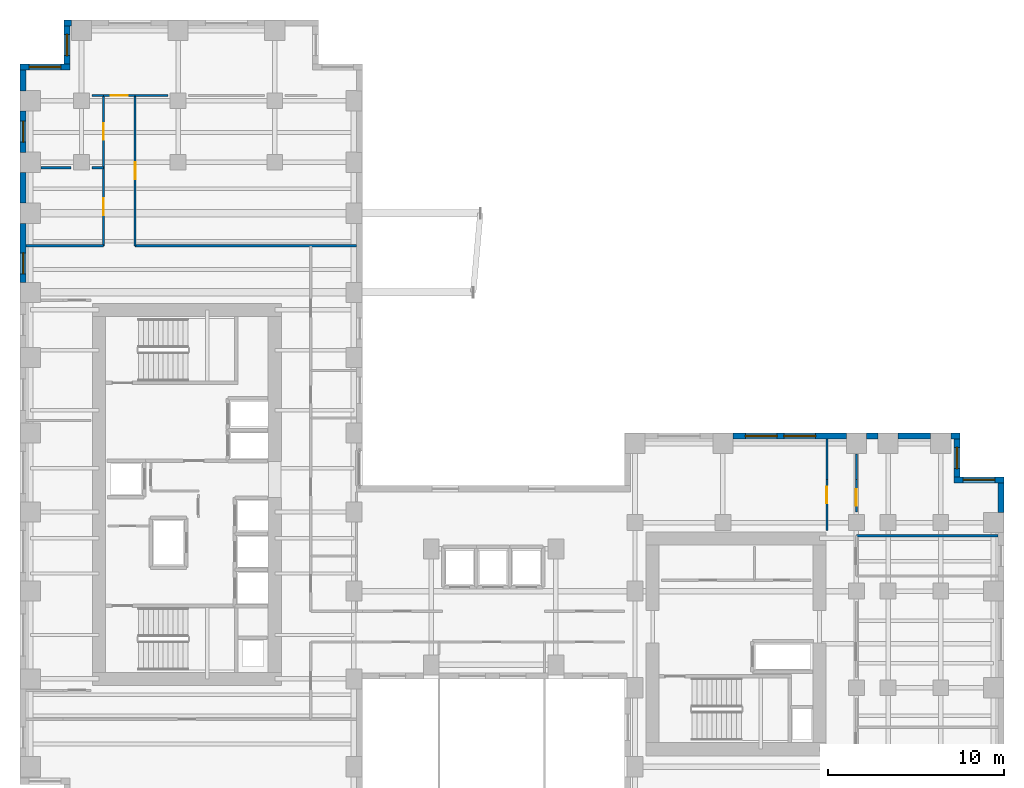
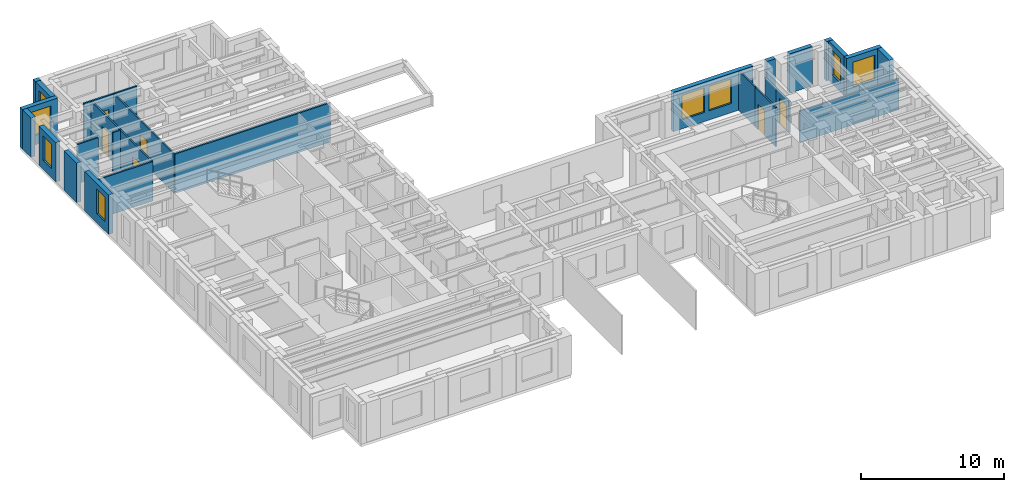
# One storey, part 10 of 13: 29 walls, 8 windows, 6 doors, 14 openings.
"""IFC4 building model written with IfcOpenShell, lengths in metres."""

from ifc_helpers import new_model, si_unit, direction, frame, frame_2d, origin, place, context, subcontext, project, spatial, rectangle, extrude, source, transform, mapped, material, layer, layer_set, type_object, element, fill, save


model = new_model("IFC4")

# Units and contexts
model_context = context("Model", 3, precision=1e-05, world=origin(), true_north=direction((0.0, 1.0)))
body_context = subcontext(model_context, "Body", "Model", "MODEL_VIEW")
ifc_project = project(units=[si_unit("LENGTHUNIT", "METRE"), si_unit("AREAUNIT", "SQUARE_METRE"), si_unit("VOLUMEUNIT", "CUBIC_METRE"), si_unit("PLANEANGLEUNIT", "RADIAN"), si_unit("MASSUNIT", "GRAM", prefix="KILO")], contexts=[model_context])

# Site, building, storey
site_placement = place(None, origin())
site = spatial("IfcSite", under=ifc_project, at=site_placement, CompositionType="ELEMENT")
building_placement = place(site_placement, origin())
building = spatial("IfcBuilding", under=site, at=building_placement, Name="Kharzan Plaza Tower", CompositionType="ELEMENT")
storey_placement = place(building_placement, frame((0.0, 0.0, 109.800048828125)))
storey = spatial("IfcBuildingStorey", under=building, at=storey_placement, Name="L29", CompositionType="ELEMENT", Elevation=109.800048828125)

# Wall, opening, window
ifc_material_1 = material(Name="Concrete C40/50", Category="concrete")
ifc_layer_1 = layer(ifc_material_1, 0.35009765625)
ifc_layer_set_1 = layer_set([ifc_layer_1], Name="Concrete C40/50")
wall_type_1 = type_object("IfcWallType", Name="WL-EXT-MAS-Z2", PredefinedType="SOLIDWALL", material=ifc_layer_set_1)
wall_1_placement = place(storey_placement, frame((2.675048828125, 45.652099609375, 0.0), z_axis=(0.0, 0.0, 1.0), x_axis=(0.0, -1.0, 0.0)))
wall_1 = element("IfcWall", 1, at=wall_1_placement, inside=storey, type_object=wall_type_1, Name="L29 Masonry-Frame Exterior Wall 14", PredefinedType="SOLIDWALL", context=body_context, shape_type="SweptSolid", body=[
    extrude(rectangle(XDim=2.154052734375, YDim=0.35009765625, at=frame_2d((1.0771484375, 0.0))), origin(), (0.0, 0.0, 1.0), 3.364990234375),
])
opening_1_placement = place(wall_1_placement, frame((0.47705078125, 0.0, 0.780029296875)))
opening_1 = element("IfcOpeningElement", 2, at=opening_1_placement, cuts=wall_1, Name="Opening W3", PredefinedType="OPENING", context=body_context, shape_type="SweptSolid", body=[
    extrude(rectangle(XDim=1.199951171875, YDim=2.10009765625, at=frame_2d((0.60009765625, 1.050048828125))), frame((0.0, 0.18505859375, 0.0), z_axis=(0.0, -1.0, 0.0), x_axis=(1.0, 0.0, 0.0)), (0.0, 0.0, 1.0), 0.3701171875),
])
ifc_material_2 = material(Name="Low-E Double Glazing", Category="glass")
window_type_1 = type_object("IfcWindowType", Name="WN-REC-1200x2100", PartitioningType="SINGLE_PANEL", PredefinedType="WINDOW", material=ifc_material_2)
shared_shape_1 = source(origin(), body_context, "Body", "SweptSolid", [
    extrude(rectangle(XDim=1.199951171875, YDim=2.10009765625, at=frame_2d((0.60009765625, 1.050048828125))), frame((0.0, 0.030029296875, 0.0), z_axis=(0.0, -1.0, 0.0), x_axis=(1.0, 0.0, 0.0)), (0.0, 0.0, 1.0), 0.06005859375),
])
window_1_placement = place(opening_1_placement, origin())
window_1 = element("IfcWindow", 3, at=window_1_placement, inside=storey, type_object=window_type_1, Name="L29 Recessed Solar-Control Window 14-1", OverallHeight=2.10009765625, OverallWidth=1.199951171875, PartitioningType="SINGLE_PANEL", PredefinedType="WINDOW", context=body_context, shape_type="MappedRepresentation", body=[
    mapped(shared_shape_1, transform((0.0, 0.0, 0.0), x_axis=(1.0, 0.0, 0.0), y_axis=(0.0, 1.0, 0.0), z_axis=(0.0, 0.0, 1.0))),
])
fill(opening_1, window_1)

wall_2_placement = place(storey_placement, frame((2.85009765625, 43.324951171875, 0.0), z_axis=(0.0, 0.0, 1.0), x_axis=(-1.0, 0.0, 0.0)))
wall_2 = element("IfcWall", 4, at=wall_2_placement, inside=storey, type_object=wall_type_1, Name="L29 Masonry-Frame Exterior Wall 15", PredefinedType="SOLIDWALL", context=body_context, shape_type="SweptSolid", body=[
    extrude(rectangle(XDim=2.85009765625, YDim=0.35009765625, at=frame_2d((1.425048828125, 0.0))), origin(), (0.0, 0.0, 1.0), 3.364990234375),
])
opening_2_placement = place(wall_2_placement, frame((0.52490234375, 0.0, 0.780029296875)))
opening_2 = element("IfcOpeningElement", 5, at=opening_2_placement, cuts=wall_2, Name="Opening W1", PredefinedType="OPENING", context=body_context, shape_type="SweptSolid", body=[
    extrude(rectangle(XDim=1.800048828125, YDim=2.10009765625, at=frame_2d((0.89990234375, 1.050048828125))), frame((0.0, 0.18505859375, 0.0), z_axis=(0.0, -1.0, 0.0), x_axis=(1.0, 0.0, 0.0)), (0.0, 0.0, 1.0), 0.3701171875),
])
window_type_2 = type_object("IfcWindowType", Name="WN-REC-1800x2100", PartitioningType="SINGLE_PANEL", PredefinedType="WINDOW", material=ifc_material_2)
shared_shape_2 = source(origin(), body_context, "Body", "SweptSolid", [
    extrude(rectangle(XDim=1.800048828125, YDim=2.10009765625, at=frame_2d((0.89990234375, 1.050048828125))), frame((0.0, 0.030029296875, 0.0), z_axis=(0.0, -1.0, 0.0), x_axis=(1.0, 0.0, 0.0)), (0.0, 0.0, 1.0), 0.06005859375),
])
window_2_placement = place(opening_2_placement, origin())
window_2 = element("IfcWindow", 6, at=window_2_placement, inside=storey, type_object=window_type_2, Name="L29 Recessed Solar-Control Window 15-1", OverallHeight=2.10009765625, OverallWidth=1.800048828125, PartitioningType="SINGLE_PANEL", PredefinedType="WINDOW", context=body_context, shape_type="MappedRepresentation", body=[
    mapped(shared_shape_2, transform((0.0, 0.0, 0.0), x_axis=(1.0, 0.0, 0.0), y_axis=(0.0, 1.0, 0.0), z_axis=(0.0, 0.0, 1.0))),
])
fill(opening_2, window_2)

wall_3_placement = place(storey_placement, frame((0.175048828125, 40.826904296875, 0.0), z_axis=(0.0, 0.0, 1.0), x_axis=(0.0, -1.0, 0.0)))
wall_3 = element("IfcWall", 7, at=wall_3_placement, inside=storey, type_object=wall_type_1, Name="L29 Masonry-Frame Exterior Wall 17", PredefinedType="SOLIDWALL", context=body_context, shape_type="SweptSolid", body=[
    extrude(rectangle(XDim=2.35400390625, YDim=0.35009765625, at=frame_2d((1.177001953125, 0.0))), origin(), (0.0, 0.0, 1.0), 3.364990234375),
])
opening_3_placement = place(wall_3_placement, frame((0.576904296875, 0.0, 0.780029296875)))
opening_3 = element("IfcOpeningElement", 8, at=opening_3_placement, cuts=wall_3, Name="Opening W3", PredefinedType="OPENING", context=body_context, shape_type="SweptSolid", body=[
    extrude(rectangle(XDim=1.199951171875, YDim=2.10009765625, at=frame_2d((0.60009765625, 1.050048828125))), frame((0.0, 0.18505859375, 0.0), z_axis=(0.0, -1.0, 0.0), x_axis=(1.0, 0.0, 0.0)), (0.0, 0.0, 1.0), 0.3701171875),
])
window_3_placement = place(opening_3_placement, origin())
window_3 = element("IfcWindow", 9, at=window_3_placement, inside=storey, type_object=window_type_1, Name="L29 Recessed Solar-Control Window 17-1", OverallHeight=2.10009765625, OverallWidth=1.199951171875, PartitioningType="SINGLE_PANEL", PredefinedType="WINDOW", context=body_context, shape_type="MappedRepresentation", body=[
    mapped(shared_shape_1, transform((0.0, 0.0, 0.0), x_axis=(1.0, 0.0, 0.0), y_axis=(0.0, 1.0, 0.0), z_axis=(0.0, 0.0, 1.0))),
])
fill(opening_3, window_3)

wall_4_placement = place(storey_placement, frame((0.175048828125, 34.427001953125, 0.0), z_axis=(0.0, 0.0, 1.0), x_axis=(0.0, -1.0, 0.0)))
wall_4 = element("IfcWall", 10, at=wall_4_placement, inside=storey, type_object=wall_type_1, Name="L29 Masonry-Frame Exterior Wall 19", PredefinedType="SOLIDWALL", context=body_context, shape_type="SweptSolid", body=[
    extrude(rectangle(XDim=3.35400390625, YDim=0.35009765625, at=frame_2d((1.677001953125, 0.0))), origin(), (0.0, 0.0, 1.0), 3.364990234375),
])
opening_4_placement = place(wall_4_placement, frame((1.680419921875, 0.0, 0.780029296875)))
opening_4 = element("IfcOpeningElement", 11, at=opening_4_placement, cuts=wall_4, Name="Opening W3", PredefinedType="OPENING", context=body_context, shape_type="SweptSolid", body=[
    extrude(rectangle(XDim=1.199951171875, YDim=2.10009765625, at=frame_2d((0.60009765625, 1.050048828125))), frame((0.0, 0.18505859375, 0.0), z_axis=(0.0, -1.0, 0.0), x_axis=(1.0, 0.0, 0.0)), (0.0, 0.0, 1.0), 0.3701171875),
])
window_4_placement = place(opening_4_placement, origin())
window_4 = element("IfcWindow", 12, at=window_4_placement, inside=storey, type_object=window_type_1, Name="L29 Recessed Solar-Control Window 19-1", OverallHeight=2.10009765625, OverallWidth=1.199951171875, PartitioningType="SINGLE_PANEL", PredefinedType="WINDOW", context=body_context, shape_type="MappedRepresentation", body=[
    mapped(shared_shape_1, transform((0.0, 0.0, 0.0), x_axis=(1.0, 0.0, 0.0), y_axis=(0.0, 1.0, 0.0), z_axis=(0.0, 0.0, 1.0))),
])
fill(opening_4, window_4)

wall_5_placement = place(storey_placement, frame((56.0, 19.824951171875, 0.0), z_axis=(0.0, 0.0, 1.0), x_axis=(-1.0, 0.0, 0.0)))
wall_5 = element("IfcWall", 13, at=wall_5_placement, inside=storey, type_object=wall_type_1, Name="L29 Masonry-Frame Exterior Wall 50", PredefinedType="SOLIDWALL", context=body_context, shape_type="SweptSolid", body=[
    extrude(rectangle(XDim=2.85009765625, YDim=0.35009765625, at=frame_2d((1.425048828125, 0.0))), origin(), (0.0, 0.0, 1.0), 3.364990234375),
])
opening_5_placement = place(wall_5_placement, frame((0.52490234375, 0.0, 0.780029296875)))
opening_5 = element("IfcOpeningElement", 14, at=opening_5_placement, cuts=wall_5, Name="Opening W1", PredefinedType="OPENING", context=body_context, shape_type="SweptSolid", body=[
    extrude(rectangle(XDim=1.800048828125, YDim=2.10009765625, at=frame_2d((0.89990234375, 1.050048828125))), frame((0.0, 0.18505859375, 0.0), z_axis=(0.0, -1.0, 0.0), x_axis=(1.0, 0.0, 0.0)), (0.0, 0.0, 1.0), 0.3701171875),
])
window_5_placement = place(opening_5_placement, origin())
window_5 = element("IfcWindow", 15, at=window_5_placement, inside=storey, type_object=window_type_2, Name="L29 Recessed Solar-Control Window 50-1", OverallHeight=2.10009765625, OverallWidth=1.800048828125, PartitioningType="SINGLE_PANEL", PredefinedType="WINDOW", context=body_context, shape_type="MappedRepresentation", body=[
    mapped(shared_shape_2, transform((0.0, 0.0, 0.0), x_axis=(1.0, 0.0, 0.0), y_axis=(0.0, 1.0, 0.0), z_axis=(0.0, 0.0, 1.0))),
])
fill(opening_5, window_5)

wall_6_placement = place(storey_placement, frame((53.324951171875, 19.998046875, 0.0), z_axis=(0.0, 0.0, 1.0), x_axis=(0.0, 1.0, 0.0)))
wall_6 = element("IfcWall", 16, at=wall_6_placement, inside=storey, type_object=wall_type_1, Name="L29 Masonry-Frame Exterior Wall 51", PredefinedType="SOLIDWALL", context=body_context, shape_type="SweptSolid", body=[
    extrude(rectangle(XDim=2.154052734375, YDim=0.35009765625, at=frame_2d((1.0771484375, 0.0))), origin(), (0.0, 0.0, 1.0), 3.364990234375),
])
opening_6_placement = place(wall_6_placement, frame((0.47705078125, 0.0, 0.780029296875)))
opening_6 = element("IfcOpeningElement", 17, at=opening_6_placement, cuts=wall_6, Name="Opening W3", PredefinedType="OPENING", context=body_context, shape_type="SweptSolid", body=[
    extrude(rectangle(XDim=1.199951171875, YDim=2.10009765625, at=frame_2d((0.60009765625, 1.050048828125))), frame((0.0, 0.18505859375, 0.0), z_axis=(0.0, -1.0, 0.0), x_axis=(1.0, 0.0, 0.0)), (0.0, 0.0, 1.0), 0.3701171875),
])
window_6_placement = place(opening_6_placement, origin())
window_6 = element("IfcWindow", 18, at=window_6_placement, inside=storey, type_object=window_type_1, Name="L29 Recessed Solar-Control Window 51-1", OverallHeight=2.10009765625, OverallWidth=1.199951171875, PartitioningType="SINGLE_PANEL", PredefinedType="WINDOW", context=body_context, shape_type="MappedRepresentation", body=[
    mapped(shared_shape_1, transform((0.0, 0.0, 0.0), x_axis=(1.0, 0.0, 0.0), y_axis=(0.0, 1.0, 0.0), z_axis=(0.0, 0.0, 1.0))),
])
fill(opening_6, window_6)

# Wall, openings, windows
wall_7_placement = place(storey_placement, frame((47.027099609375, 22.324951171875, 0.0), z_axis=(0.0, 0.0, 1.0), x_axis=(-1.0, 0.0, 0.0)))
wall_7 = element("IfcWall", 19, at=wall_7_placement, inside=storey, type_object=wall_type_1, Name="L29 Masonry-Frame Exterior Wall 55", PredefinedType="SOLIDWALL", context=body_context, shape_type="SweptSolid", body=[
    extrude(rectangle(XDim=6.4541015625, YDim=0.35009765625, at=frame_2d((3.22705078125, 0.0))), origin(), (0.0, 0.0, 1.0), 3.364990234375),
])
opening_7_placement = place(wall_7_placement, frame((1.749267578125, 0.0, 0.780029296875)))
opening_7 = element("IfcOpeningElement", 20, at=opening_7_placement, cuts=wall_7, Name="Opening W1", PredefinedType="OPENING", context=body_context, shape_type="SweptSolid", body=[
    extrude(rectangle(XDim=1.800048828125, YDim=2.10009765625, at=frame_2d((0.89990234375, 1.050048828125))), frame((0.0, 0.18505859375, 0.0), z_axis=(0.0, -1.0, 0.0), x_axis=(1.0, 0.0, 0.0)), (0.0, 0.0, 1.0), 0.3701171875),
])
opening_8_placement = place(wall_7_placement, frame((3.941650390625, 0.0, 0.780029296875)))
opening_8 = element("IfcOpeningElement", 21, at=opening_8_placement, cuts=wall_7, Name="Opening W1", PredefinedType="OPENING", context=body_context, shape_type="SweptSolid", body=[
    extrude(rectangle(XDim=1.800048828125, YDim=2.10009765625, at=frame_2d((0.89990234375, 1.050048828125))), frame((0.0, 0.18505859375, 0.0), z_axis=(0.0, -1.0, 0.0), x_axis=(1.0, 0.0, 0.0)), (0.0, 0.0, 1.0), 0.3701171875),
])
window_7_placement = place(opening_7_placement, origin())
window_7 = element("IfcWindow", 22, at=window_7_placement, inside=storey, type_object=window_type_2, Name="L29 Recessed Solar-Control Window 55-1", OverallHeight=2.10009765625, OverallWidth=1.800048828125, PartitioningType="SINGLE_PANEL", PredefinedType="WINDOW", context=body_context, shape_type="MappedRepresentation", body=[
    mapped(shared_shape_2, transform((0.0, 0.0, 0.0), x_axis=(1.0, 0.0, 0.0), y_axis=(0.0, 1.0, 0.0), z_axis=(0.0, 0.0, 1.0))),
])
fill(opening_7, window_7)
window_8_placement = place(opening_8_placement, origin())
window_8 = element("IfcWindow", 23, at=window_8_placement, inside=storey, type_object=window_type_2, Name="L29 Recessed Solar-Control Window 55-2", OverallHeight=2.10009765625, OverallWidth=1.800048828125, PartitioningType="SINGLE_PANEL", PredefinedType="WINDOW", context=body_context, shape_type="MappedRepresentation", body=[
    mapped(shared_shape_2, transform((0.0, 0.0, 0.0), x_axis=(1.0, 0.0, 0.0), y_axis=(0.0, 1.0, 0.0), z_axis=(0.0, 0.0, 1.0))),
])
fill(opening_8, window_8)

# Wall, opening, door
ifc_material_3 = material(Name="Fire-Rated Gypsum Board Partition", Category="gypsum")
ifc_layer_2 = layer(ifc_material_3, 0.125)
ifc_layer_set_2 = layer_set([ifc_layer_2], Name="Fire-Rated Gypsum Board Partition")
wall_type_2 = type_object("IfcWallType", Name="WL-INT-PART-125", PredefinedType="PARTITIONING", material=ifc_layer_set_2)
wall_8_placement = place(storey_placement, frame((47.60009765625, 17.989990234375, 0.0), z_axis=(0.0, 0.0, 1.0), x_axis=(0.0, 1.0, 0.0)))
wall_8 = element("IfcWall", 24, at=wall_8_placement, inside=storey, type_object=wall_type_2, Name="L29 Interior Partition SH-B3W2", PredefinedType="PARTITIONING", context=body_context, shape_type="SweptSolid", body=[
    extrude(rectangle(XDim=1.860107421875, YDim=0.125, at=frame_2d((0.93017578125, 0.0))), origin(), (0.0, 0.0, 1.0), 2.677001953125),
])
opening_9_placement = place(wall_8_placement, frame((0.36328125, 0.0, 0.0)))
opening_9 = element("IfcOpeningElement", 25, at=opening_9_placement, cuts=wall_8, Name="Opening OD1", PredefinedType="OPENING", context=body_context, shape_type="SweptSolid", body=[
    extrude(rectangle(XDim=0.949951171875, YDim=2.14990234375, at=frame_2d((0.47509765625, 1.074951171875))), frame((0.0, 0.072509765625, 0.0), z_axis=(0.0, -1.0, 0.0), x_axis=(1.0, 0.0, 0.0)), (0.0, 0.0, 1.0), 0.14501953125),
])
ifc_material_4 = material(Name="Acoustic Solid-Core Stained Oak", Category="timber")
door_type = type_object("IfcDoorType", Name="DR-OFF-SINGLE", OperationType="NOTDEFINED", PredefinedType="DOOR", material=ifc_material_4)
shared_shape_3 = source(origin(), body_context, "Body", "SweptSolid", [
    extrude(rectangle(XDim=0.949951171875, YDim=2.14990234375, at=frame_2d((0.47509765625, 1.074951171875))), frame((0.0, 0.02490234375, 0.0), z_axis=(0.0, -1.0, 0.0), x_axis=(1.0, 0.0, 0.0)), (0.0, 0.0, 1.0), 0.050048828125),
])
door_1_placement = place(opening_9_placement, origin())
door_1 = element("IfcDoor", 26, at=door_1_placement, inside=storey, type_object=door_type, Name="L29 Wing B Office 3 Door", OperationType="SINGLE_SWING_RIGHT", OverallHeight=2.14990234375, OverallWidth=0.949951171875, PredefinedType="DOOR", context=body_context, shape_type="MappedRepresentation", body=[
    mapped(shared_shape_3, transform((0.0, 0.0, 0.0), x_axis=(1.0, 0.0, 0.0), y_axis=(0.0, 1.0, 0.0), z_axis=(0.0, 0.0, 1.0))),
])
fill(opening_9, door_1)

wall_9_placement = place(storey_placement, frame((45.919921875, 16.949951171875, 0.0), z_axis=(0.0, 0.0, 1.0), x_axis=(0.0, 1.0, 0.0)))
wall_9 = element("IfcWall", 27, at=wall_9_placement, inside=storey, type_object=wall_type_2, Name="L29 Interior Partition SH-RBNE", PredefinedType="PARTITIONING", context=body_context, shape_type="SweptSolid", body=[
    extrude(rectangle(XDim=2.900146484375, YDim=0.125, at=frame_2d((1.4501953125, 0.0))), origin(), (0.0, 0.0, 1.0), 3.364990234375),
])
opening_10_placement = place(wall_9_placement, frame((1.54296875, 0.0, 0.0)))
opening_10 = element("IfcOpeningElement", 28, at=opening_10_placement, cuts=wall_9, Name="Opening OD1", PredefinedType="OPENING", context=body_context, shape_type="SweptSolid", body=[
    extrude(rectangle(XDim=0.949951171875, YDim=2.14990234375, at=frame_2d((0.47509765625, 1.074951171875))), frame((0.0, 0.072509765625, 0.0), z_axis=(0.0, -1.0, 0.0), x_axis=(1.0, 0.0, 0.0)), (0.0, 0.0, 1.0), 0.14501953125),
])
door_2_placement = place(opening_10_placement, origin())
door_2 = element("IfcDoor", 29, at=door_2_placement, inside=storey, type_object=door_type, Name="L29 Wing B North Studio Door", OperationType="SINGLE_SWING_RIGHT", OverallHeight=2.14990234375, OverallWidth=0.949951171875, PredefinedType="DOOR", context=body_context, shape_type="MappedRepresentation", body=[
    mapped(shared_shape_3, transform((0.0, 0.0, 0.0), x_axis=(1.0, 0.0, 0.0), y_axis=(0.0, 1.0, 0.0), z_axis=(0.0, 0.0, 1.0))),
])
fill(opening_10, door_2)

wall_10_placement = place(storey_placement, frame((6.550048828125, 33.14990234375, 0.0), z_axis=(0.0, 0.0, 1.0), x_axis=(0.0, 1.0, 0.0)))
wall_10 = element("IfcWall", 30, at=wall_10_placement, inside=storey, type_object=wall_type_2, Name="L29 Interior Partition SH-SPE-1", PredefinedType="PARTITIONING", context=body_context, shape_type="SweptSolid", body=[
    extrude(rectangle(XDim=8.550048828125, YDim=0.125, at=frame_2d((4.27490234375, 0.0))), origin(), (0.0, 0.0, 1.0), 3.364990234375),
])
opening_11_placement = place(wall_10_placement, frame((3.800048828125, 0.0, 0.0)))
opening_11 = element("IfcOpeningElement", 31, at=opening_11_placement, cuts=wall_10, Name="Opening OD1", PredefinedType="OPENING", context=body_context, shape_type="SweptSolid", body=[
    extrude(rectangle(XDim=0.949951171875, YDim=2.14990234375, at=frame_2d((0.47509765625, 1.074951171875))), frame((0.0, 0.072509765625, 0.0), z_axis=(0.0, -1.0, 0.0), x_axis=(1.0, 0.0, 0.0)), (0.0, 0.0, 1.0), 0.14501953125),
])
door_3_placement = place(opening_11_placement, origin())
door_3 = element("IfcDoor", 32, at=door_3_placement, inside=storey, type_object=door_type, Name="L29 Cartography Drafting Studio Door", OperationType="SINGLE_SWING_LEFT", OverallHeight=2.14990234375, OverallWidth=0.949951171875, PredefinedType="DOOR", context=body_context, shape_type="MappedRepresentation", body=[
    mapped(shared_shape_3, transform((0.0, 0.0, 0.0), x_axis=(1.0, 0.0, 0.0), y_axis=(0.0, 1.0, 0.0), z_axis=(0.0, 0.0, 1.0))),
])
fill(opening_11, door_3)

wall_11_placement = place(storey_placement, frame((4.75, 41.699951171875, 0.0), z_axis=(0.0, 0.0, 1.0), x_axis=(1.0, 0.0, 0.0)))
wall_11 = element("IfcWall", 33, at=wall_11_placement, inside=storey, type_object=wall_type_2, Name="L29 Interior Partition SH-SPHD", PredefinedType="PARTITIONING", context=body_context, shape_type="SweptSolid", body=[
    extrude(rectangle(XDim=1.800048828125, YDim=0.125, at=frame_2d((0.89990234375, 0.0))), origin(), (0.0, 0.0, 1.0), 3.364990234375),
])
opening_12_placement = place(wall_11_placement, frame((0.425048828125, 0.0, 0.0)))
opening_12 = element("IfcOpeningElement", 34, at=opening_12_placement, cuts=wall_11, Name="Opening OD1", PredefinedType="OPENING", context=body_context, shape_type="SweptSolid", body=[
    extrude(rectangle(XDim=0.949951171875, YDim=2.14990234375, at=frame_2d((0.47509765625, 1.074951171875))), frame((0.0, 0.072509765625, 0.0), z_axis=(0.0, -1.0, 0.0), x_axis=(1.0, 0.0, 0.0)), (0.0, 0.0, 1.0), 0.14501953125),
])
door_4_placement = place(opening_12_placement, origin())
door_4 = element("IfcDoor", 35, at=door_4_placement, inside=storey, type_object=door_type, Name="L29 North Boardroom Door", OperationType="SINGLE_SWING_RIGHT", OverallHeight=2.14990234375, OverallWidth=0.949951171875, PredefinedType="DOOR", context=body_context, shape_type="MappedRepresentation", body=[
    mapped(shared_shape_3, transform((0.0, 0.0, 0.0), x_axis=(1.0, 0.0, 0.0), y_axis=(0.0, 1.0, 0.0), z_axis=(0.0, 0.0, 1.0))),
])
fill(opening_12, door_4)

wall_12_placement = place(storey_placement, frame((4.75, 33.14990234375, 0.0), z_axis=(0.0, 0.0, 1.0), x_axis=(0.0, 1.0, 0.0)))
wall_12 = element("IfcWall", 36, at=wall_12_placement, inside=storey, type_object=wall_type_2, Name="L29 Interior Partition SH-SPW-1", PredefinedType="PARTITIONING", context=body_context, shape_type="SweptSolid", body=[
    extrude(rectangle(XDim=4.446044921875, YDim=0.125, at=frame_2d((2.22314453125, 0.0))), origin(), (0.0, 0.0, 1.0), 3.364990234375),
])
opening_13_placement = place(wall_12_placement, frame((1.748046875, 0.0, 0.0)))
opening_13 = element("IfcOpeningElement", 37, at=opening_13_placement, cuts=wall_12, Name="Opening OD1", PredefinedType="OPENING", context=body_context, shape_type="SweptSolid", body=[
    extrude(rectangle(XDim=0.949951171875, YDim=2.14990234375, at=frame_2d((0.47509765625, 1.074951171875))), frame((0.0, 0.072509765625, 0.0), z_axis=(0.0, -1.0, 0.0), x_axis=(1.0, 0.0, 0.0)), (0.0, 0.0, 1.0), 0.14501953125),
])
door_5_placement = place(opening_13_placement, origin())
door_5 = element("IfcDoor", 38, at=door_5_placement, inside=storey, type_object=door_type, Name="L29 Architectural Design Studio Door", OperationType="SINGLE_SWING_LEFT", OverallHeight=2.14990234375, OverallWidth=0.949951171875, PredefinedType="DOOR", context=body_context, shape_type="MappedRepresentation", body=[
    mapped(shared_shape_3, transform((0.0, 0.0, 0.0), x_axis=(1.0, 0.0, 0.0), y_axis=(0.0, 1.0, 0.0), z_axis=(0.0, 0.0, 1.0))),
])
fill(opening_13, door_5)

wall_13_placement = place(storey_placement, frame((4.75, 37.595947265625, 0.0), z_axis=(0.0, 0.0, 1.0), x_axis=(0.0, 1.0, 0.0)))
wall_13 = element("IfcWall", 39, at=wall_13_placement, inside=storey, type_object=wall_type_2, Name="L29 Interior Partition SH-SPW-2", PredefinedType="PARTITIONING", context=body_context, shape_type="SweptSolid", body=[
    extrude(rectangle(XDim=4.10400390625, YDim=0.125, at=frame_2d((2.052001953125, 0.0))), origin(), (0.0, 0.0, 1.0), 3.364990234375),
])
opening_14_placement = place(wall_13_placement, frame((1.576904296875, 0.0, 0.0)))
opening_14 = element("IfcOpeningElement", 40, at=opening_14_placement, cuts=wall_13, Name="Opening OD1", PredefinedType="OPENING", context=body_context, shape_type="SweptSolid", body=[
    extrude(rectangle(XDim=0.949951171875, YDim=2.14990234375, at=frame_2d((0.47509765625, 1.074951171875))), frame((0.0, 0.072509765625, 0.0), z_axis=(0.0, -1.0, 0.0), x_axis=(1.0, 0.0, 0.0)), (0.0, 0.0, 1.0), 0.14501953125),
])
door_6_placement = place(opening_14_placement, origin())
door_6 = element("IfcDoor", 41, at=door_6_placement, inside=storey, type_object=door_type, Name="L29 Architectural Design Studio Door", OperationType="SINGLE_SWING_RIGHT", OverallHeight=2.14990234375, OverallWidth=0.949951171875, PredefinedType="DOOR", context=body_context, shape_type="MappedRepresentation", body=[
    mapped(shared_shape_3, transform((0.0, 0.0, 0.0), x_axis=(1.0, 0.0, 0.0), y_axis=(0.0, 1.0, 0.0), z_axis=(0.0, 0.0, 1.0))),
])
fill(opening_14, door_6)

# Walls
shared_shape_4 = source(origin(), body_context, "Body", "SweptSolid", [
    extrude(rectangle(XDim=2.2978515625, YDim=0.125, at=frame_2d((1.14892578125, 0.0))), origin(), (0.0, 0.0, 1.0), 3.364990234375),
])
wall_14_placement = place(storey_placement, frame((45.919921875, 19.85009765625, 0.0), z_axis=(0.0, 0.0, 1.0), x_axis=(0.0, 1.0, 0.0)))
element("IfcWall", 42, at=wall_14_placement, inside=storey, type_object=wall_type_2, Name="L29 Interior Partition SH-RBNE0", PredefinedType="PARTITIONING", context=body_context, shape_type="MappedRepresentation", body=[
    mapped(shared_shape_4, transform((0.0, 0.0, 0.0), x_axis=(1.0, 0.0, 0.0), y_axis=(0.0, 1.0, 0.0), z_axis=(0.0, 0.0, 1.0))),
])
shared_shape_5 = source(origin(), body_context, "Body", "SweptSolid", [
    extrude(rectangle(XDim=0.427001953125, YDim=0.35009765625, at=frame_2d((0.21337890625, 0.0))), origin(), (0.0, 0.0, 1.0), 3.364990234375),
])
wall_15_placement = place(storey_placement, frame((2.927001953125, 45.824951171875, 0.0), z_axis=(0.0, 0.0, 1.0), x_axis=(-1.0, 0.0, 0.0)))
element("IfcWall", 43, at=wall_15_placement, inside=storey, type_object=wall_type_1, Name="L29 Masonry-Frame Exterior Wall 13", PredefinedType="SOLIDWALL", context=body_context, shape_type="MappedRepresentation", body=[
    mapped(shared_shape_5, transform((0.0, 0.0, 0.0), x_axis=(1.0, 0.0, 0.0), y_axis=(0.0, 1.0, 0.0), z_axis=(0.0, 0.0, 1.0))),
])
shared_shape_6 = source(origin(), body_context, "Body", "SweptSolid", [
    extrude(rectangle(XDim=1.17919921875, YDim=0.35009765625, at=frame_2d((0.589599609375, 0.0))), origin(), (0.0, 0.0, 1.0), 3.364990234375),
])
wall_16_placement = place(storey_placement, frame((0.175048828125, 43.152099609375, 0.0), z_axis=(0.0, 0.0, 1.0), x_axis=(0.0, -1.0, 0.0)))
element("IfcWall", 44, at=wall_16_placement, inside=storey, type_object=wall_type_1, Name="L29 Masonry-Frame Exterior Wall 16", PredefinedType="SOLIDWALL", context=body_context, shape_type="MappedRepresentation", body=[
    mapped(shared_shape_6, transform((0.0, 0.0, 0.0), x_axis=(1.0, 0.0, 0.0), y_axis=(0.0, 1.0, 0.0), z_axis=(0.0, 0.0, 1.0))),
])
shared_shape_7 = source(origin(), body_context, "Body", "SweptSolid", [
    extrude(rectangle(XDim=1.75390625, YDim=0.35009765625, at=frame_2d((0.876953125, 0.0))), origin(), (0.0, 0.0, 1.0), 3.364990234375),
])
wall_17_placement = place(storey_placement, frame((0.175048828125, 37.326904296875, 0.0), z_axis=(0.0, 0.0, 1.0), x_axis=(0.0, -1.0, 0.0)))
element("IfcWall", 45, at=wall_17_placement, inside=storey, type_object=wall_type_1, Name="L29 Masonry-Frame Exterior Wall 18", PredefinedType="SOLIDWALL", context=body_context, shape_type="MappedRepresentation", body=[
    mapped(shared_shape_7, transform((0.0, 0.0, 0.0), x_axis=(1.0, 0.0, 0.0), y_axis=(0.0, 1.0, 0.0), z_axis=(0.0, 0.0, 1.0))),
])
shared_shape_8 = source(origin(), body_context, "Body", "SweptSolid", [
    extrude(rectangle(XDim=0.65380859375, YDim=0.35009765625, at=frame_2d((0.326904296875, 0.0))), origin(), (0.0, 0.0, 1.0), 3.364990234375),
])
wall_18_placement = place(storey_placement, frame((48.826904296875, 22.324951171875, 0.0), z_axis=(0.0, 0.0, 1.0), x_axis=(-1.0, 0.0, 0.0)))
element("IfcWall", 46, at=wall_18_placement, inside=storey, type_object=wall_type_1, Name="L29 Masonry-Frame Exterior Wall 54", PredefinedType="SOLIDWALL", context=body_context, shape_type="MappedRepresentation", body=[
    mapped(shared_shape_8, transform((0.0, 0.0, 0.0), x_axis=(1.0, 0.0, 0.0), y_axis=(0.0, 1.0, 0.0), z_axis=(0.0, 0.0, 1.0))),
])
shared_shape_9 = source(origin(), body_context, "Body", "SweptSolid", [
    extrude(rectangle(XDim=1.85400390625, YDim=0.35009765625, at=frame_2d((0.927001953125, 0.0))), origin(), (0.0, 0.0, 1.0), 3.364990234375),
])
wall_19_placement = place(storey_placement, frame((51.826904296875, 22.324951171875, 0.0), z_axis=(0.0, 0.0, 1.0), x_axis=(-1.0, 0.0, 0.0)))
element("IfcWall", 47, at=wall_19_placement, inside=storey, type_object=wall_type_1, Name="L29 Masonry-Frame Exterior Wall 53", PredefinedType="SOLIDWALL", context=body_context, shape_type="MappedRepresentation", body=[
    mapped(shared_shape_9, transform((0.0, 0.0, 0.0), x_axis=(1.0, 0.0, 0.0), y_axis=(0.0, 1.0, 0.0), z_axis=(0.0, 0.0, 1.0))),
])
shared_shape_10 = source(origin(), body_context, "Body", "SweptSolid", [
    extrude(rectangle(XDim=0.527099609375, YDim=0.35009765625, at=frame_2d((0.263671875, 0.0))), origin(), (0.0, 0.0, 1.0), 3.364990234375),
])
wall_20_placement = place(storey_placement, frame((53.5, 22.324951171875, 0.0), z_axis=(0.0, 0.0, 1.0), x_axis=(-1.0, 0.0, 0.0)))
element("IfcWall", 48, at=wall_20_placement, inside=storey, type_object=wall_type_1, Name="L29 Masonry-Frame Exterior Wall 52", PredefinedType="SOLIDWALL", context=body_context, shape_type="MappedRepresentation", body=[
    mapped(shared_shape_10, transform((0.0, 0.0, 0.0), x_axis=(1.0, 0.0, 0.0), y_axis=(0.0, 1.0, 0.0), z_axis=(0.0, 0.0, 1.0))),
])
shared_shape_11 = source(origin(), body_context, "Body", "SweptSolid", [
    extrude(rectangle(XDim=1.67919921875, YDim=0.35009765625, at=frame_2d((0.839599609375, 0.0))), origin(), (0.0, 0.0, 1.0), 3.364990234375),
])
wall_21_placement = place(storey_placement, frame((55.824951171875, 17.972900390625, 0.0), z_axis=(0.0, 0.0, 1.0), x_axis=(0.0, 1.0, 0.0)))
element("IfcWall", 49, at=wall_21_placement, inside=storey, type_object=wall_type_1, Name="L29 Masonry-Frame Exterior Wall 49", PredefinedType="SOLIDWALL", context=body_context, shape_type="MappedRepresentation", body=[
    mapped(shared_shape_11, transform((0.0, 0.0, 0.0), x_axis=(1.0, 0.0, 0.0), y_axis=(0.0, 1.0, 0.0), z_axis=(0.0, 0.0, 1.0))),
])
shared_shape_12 = source(origin(), body_context, "Body", "SweptSolid", [
    extrude(rectangle(XDim=1.4599609375, YDim=0.125, at=frame_2d((0.72998046875, 0.0))), origin(), (0.0, 0.0, 1.0), 2.677001953125),
])
wall_22_placement = place(storey_placement, frame((47.60009765625, 19.85009765625, 0.0), z_axis=(0.0, 0.0, 1.0), x_axis=(0.0, 1.0, 0.0)))
element("IfcWall", 50, at=wall_22_placement, inside=storey, type_object=wall_type_2, Name="L29 Interior Partition SH-B3W2N", PredefinedType="PARTITIONING", context=body_context, shape_type="MappedRepresentation", body=[
    mapped(shared_shape_12, transform((0.0, 0.0, 0.0), x_axis=(1.0, 0.0, 0.0), y_axis=(0.0, 1.0, 0.0), z_axis=(0.0, 0.0, 1.0))),
])
shared_shape_13 = source(origin(), body_context, "Body", "SweptSolid", [
    extrude(rectangle(XDim=8.0478515625, YDim=0.125, at=frame_2d((4.02392578125, 0.0))), origin(), (0.0, 0.0, 1.0), 2.677001953125),
])
wall_23_placement = place(storey_placement, frame((47.60009765625, 16.64990234375, 0.0), z_axis=(0.0, 0.0, 1.0), x_axis=(1.0, 0.0, 0.0)))
element("IfcWall", 51, at=wall_23_placement, inside=storey, type_object=wall_type_2, Name="L29 Interior Partition SH-B3H-166", PredefinedType="PARTITIONING", context=body_context, shape_type="MappedRepresentation", body=[
    mapped(shared_shape_13, transform((0.0, 0.0, 0.0), x_axis=(1.0, 0.0, 0.0), y_axis=(0.0, 1.0, 0.0), z_axis=(0.0, 0.0, 1.0))),
])
shared_shape_14 = source(origin(), body_context, "Body", "SweptSolid", [
    extrude(rectangle(XDim=12.597900390625, YDim=0.125, at=frame_2d((6.298828125, 0.0))), origin(), (0.0, 0.0, 1.0), 3.364990234375),
])
wall_24_placement = place(storey_placement, frame((6.550048828125, 33.14990234375, 0.0), z_axis=(0.0, 0.0, 1.0), x_axis=(1.0, 0.0, 0.0)))
element("IfcWall", 52, at=wall_24_placement, inside=storey, type_object=wall_type_2, Name="L29 Interior Partition SH-NNE", PredefinedType="PARTITIONING", context=body_context, shape_type="MappedRepresentation", body=[
    mapped(shared_shape_14, transform((0.0, 0.0, 0.0), x_axis=(1.0, 0.0, 0.0), y_axis=(0.0, 1.0, 0.0), z_axis=(0.0, 0.0, 1.0))),
])
shared_shape_15 = source(origin(), body_context, "Body", "SweptSolid", [
    extrude(rectangle(XDim=4.39794921875, YDim=0.125, at=frame_2d((2.198974609375, 0.0))), origin(), (0.0, 0.0, 1.0), 3.364990234375),
])
wall_25_placement = place(storey_placement, frame((0.35205078125, 33.14990234375, 0.0), z_axis=(0.0, 0.0, 1.0), x_axis=(1.0, 0.0, 0.0)))
element("IfcWall", 53, at=wall_25_placement, inside=storey, type_object=wall_type_2, Name="L29 Interior Partition SH-NNW", PredefinedType="PARTITIONING", context=body_context, shape_type="MappedRepresentation", body=[
    mapped(shared_shape_15, transform((0.0, 0.0, 0.0), x_axis=(1.0, 0.0, 0.0), y_axis=(0.0, 1.0, 0.0), z_axis=(0.0, 0.0, 1.0))),
])
shared_shape_16 = source(origin(), body_context, "Body", "SweptSolid", [
    extrude(rectangle(XDim=1.719970703125, YDim=0.125, at=frame_2d((0.85986328125, 0.0))), origin(), (0.0, 0.0, 1.0), 3.364990234375),
])
wall_26_placement = place(storey_placement, frame((1.18994140625, 37.595947265625, 0.0), z_axis=(0.0, 0.0, 1.0), x_axis=(1.0, 0.0, 0.0)))
element("IfcWall", 54, at=wall_26_placement, inside=storey, type_object=wall_type_2, Name="L29 Interior Partition SH-NWH-1-S1", PredefinedType="PARTITIONING", context=body_context, shape_type="MappedRepresentation", body=[
    mapped(shared_shape_16, transform((0.0, 0.0, 0.0), x_axis=(1.0, 0.0, 0.0), y_axis=(0.0, 1.0, 0.0), z_axis=(0.0, 0.0, 1.0))),
])
shared_shape_17 = source(origin(), body_context, "Body", "SweptSolid", [
    extrude(rectangle(XDim=0.659912109375, YDim=0.125, at=frame_2d((0.330078125, 0.0))), origin(), (0.0, 0.0, 1.0), 3.364990234375),
])
for number, where, z_axis, x_axis, name in (
    (55, (4.090087890625, 37.595947265625, 0.0), (0.0, 0.0, 1.0), (1.0, 0.0, 0.0), "L29 Interior Partition SH-NWH-1-S2"),
    (56, (4.090087890625, 41.699951171875, 0.0), (0.0, 0.0, 1.0), (1.0, 0.0, 0.0), "L29 Interior Partition SH-SPHW"),
):
    element("IfcWall", number, at=place(storey_placement, frame(where, z_axis=z_axis, x_axis=x_axis)), inside=storey, type_object=wall_type_2, Name=name, PredefinedType="PARTITIONING", context=body_context, shape_type="MappedRepresentation", body=[
        mapped(shared_shape_17, transform((0.0, 0.0, 0.0), x_axis=(1.0, 0.0, 0.0), y_axis=(0.0, 1.0, 0.0), z_axis=(0.0, 0.0, 1.0))),
    ])
shared_shape_18 = source(origin(), body_context, "Body", "SweptSolid", [
    extrude(rectangle(XDim=1.85986328125, YDim=0.125, at=frame_2d((0.929931640625, 0.0))), origin(), (0.0, 0.0, 1.0), 3.364990234375),
])
wall_27_placement = place(storey_placement, frame((6.550048828125, 41.699951171875, 0.0), z_axis=(0.0, 0.0, 1.0), x_axis=(1.0, 0.0, 0.0)))
element("IfcWall", 57, at=wall_27_placement, inside=storey, type_object=wall_type_2, Name="L29 Interior Partition SH-SPHE-S1", PredefinedType="PARTITIONING", context=body_context, shape_type="MappedRepresentation", body=[
    mapped(shared_shape_18, transform((0.0, 0.0, 0.0), x_axis=(1.0, 0.0, 0.0), y_axis=(0.0, 1.0, 0.0), z_axis=(0.0, 0.0, 1.0))),
])

save(model, "model.ifc")
